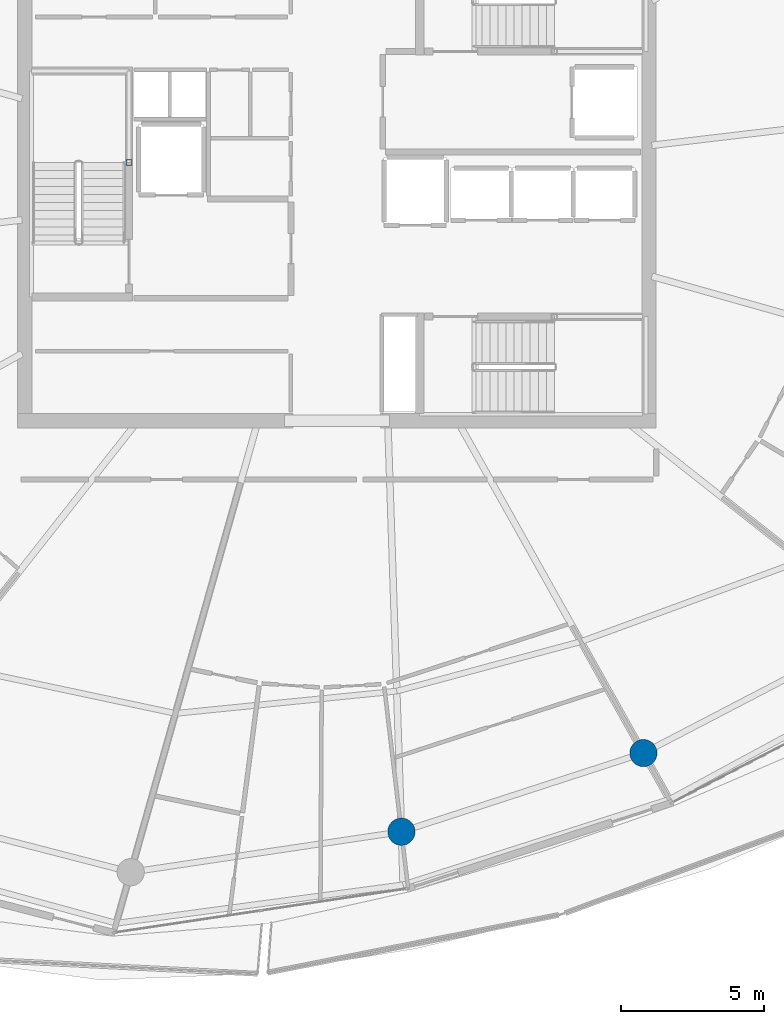
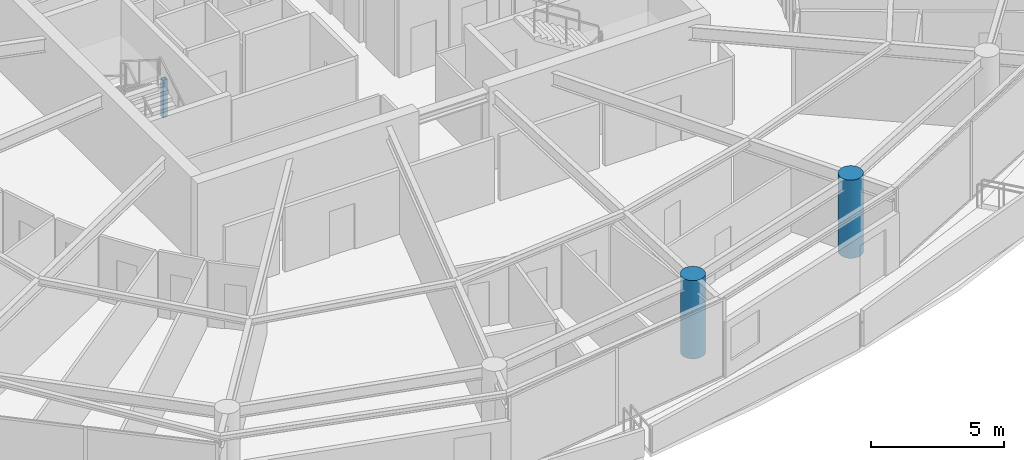
# One storey, part 2 of 29: 3 columns.
"""IFC4 building model written with IfcOpenShell, lengths in metres."""

from ifc_helpers import new_model, si_unit, direction, frame, origin, origin_2d, place, context, subcontext, project, spatial, hollow_rectangle, circle, extrude, material, material_profile, profile_set, type_object, element, save


model = new_model("IFC4")

# Units and contexts
model_context = context("Model", 3, precision=1e-05, world=origin(), true_north=direction((0.0, 1.0)))
body_context = subcontext(model_context, "Body", "Model", "MODEL_VIEW")
ifc_project = project(units=[si_unit("LENGTHUNIT", "METRE"), si_unit("AREAUNIT", "SQUARE_METRE"), si_unit("VOLUMEUNIT", "CUBIC_METRE"), si_unit("PLANEANGLEUNIT", "RADIAN"), si_unit("MASSUNIT", "GRAM", prefix="KILO")], contexts=[model_context])

# Site, building, storey
site_placement = place(None, origin())
site = spatial("IfcSite", under=ifc_project, at=site_placement, CompositionType="ELEMENT")
building_placement = place(site_placement, origin())
building = spatial("IfcBuilding", under=site, at=building_placement, Name="Kazma Halo Residences", CompositionType="ELEMENT")
storey_placement = place(building_placement, frame((0.0, 0.0, 286.75)))
storey = spatial("IfcBuildingStorey", under=building, at=storey_placement, Name="L72", CompositionType="ELEMENT", Elevation=286.75)

# Columns
ifc_material_1 = material(Name="Steel S355", Category="steel")
ifc_material_profile_1 = material_profile(ifc_material_1, hollow_rectangle(XDim=0.199951171875, YDim=0.199951171875, WallThickness=0.010009765625, InnerFilletRadius=0.010009765625, OuterFilletRadius=0.02001953125, at=origin_2d()), Name="SHS200x200x10")
ifc_profile_set_1 = profile_set([ifc_material_profile_1], Name="Steel S355")
column_type_1 = type_object("IfcColumnType", Name="COL-LP-SHS200", PredefinedType="COLUMN", material=ifc_profile_set_1)
column_placement = place(storey_placement, frame((41.179931640625, 42.75, 0.0), z_axis=(0.0, 0.0, 1.0), x_axis=(1.0, 0.0, 0.0)))
element("IfcColumn", 1, at=column_placement, inside=storey, type_object=column_type_1, Name="L72 ST-01 landing pilaster 1", PredefinedType="COLUMN", context=body_context, shape_type="SweptSolid", body=[
    extrude(hollow_rectangle(XDim=0.199951171875, YDim=0.199951171875, WallThickness=0.010009765625, InnerFilletRadius=0.010009765625, OuterFilletRadius=0.02001953125, at=origin_2d()), origin(), (0.0, 0.0, 1.0), 1.719970703125),
])
ifc_material_2 = material(Name="Concrete C60/75", Category="concrete")
ifc_material_profile_2 = material_profile(ifc_material_2, circle(Radius=0.47509765625, at=origin_2d()), Name="CIRC950")
ifc_profile_set_2 = profile_set([ifc_material_profile_2], Name="Concrete C60/75")
column_type_2 = type_object("IfcColumnType", Name="COL-PERIM-950", PredefinedType="COLUMN", material=ifc_profile_set_2)
for number, where, z_axis, x_axis, name in (
    (2, (50.67138671875, 19.42919921875, 0.0), (0.0, 0.0, 1.0), (1.0, 0.0, 0.0), "L72 perimeter ring column P12"),
    (3, (59.10546875, 22.169677734375, 0.0), (0.0, 0.0, 1.0), (1.0, 0.0, 0.0), "L72 perimeter ring column P13"),
):
    element("IfcColumn", number, at=place(storey_placement, frame(where, z_axis=z_axis, x_axis=x_axis)), inside=storey, type_object=column_type_2, Name=name, PredefinedType="COLUMN", context=body_context, shape_type="SweptSolid", body=[
        extrude(circle(Radius=0.47509765625, at=origin_2d()), origin(), (0.0, 0.0, 1.0), 3.590087890625),
    ])

save(model, "model.ifc")
